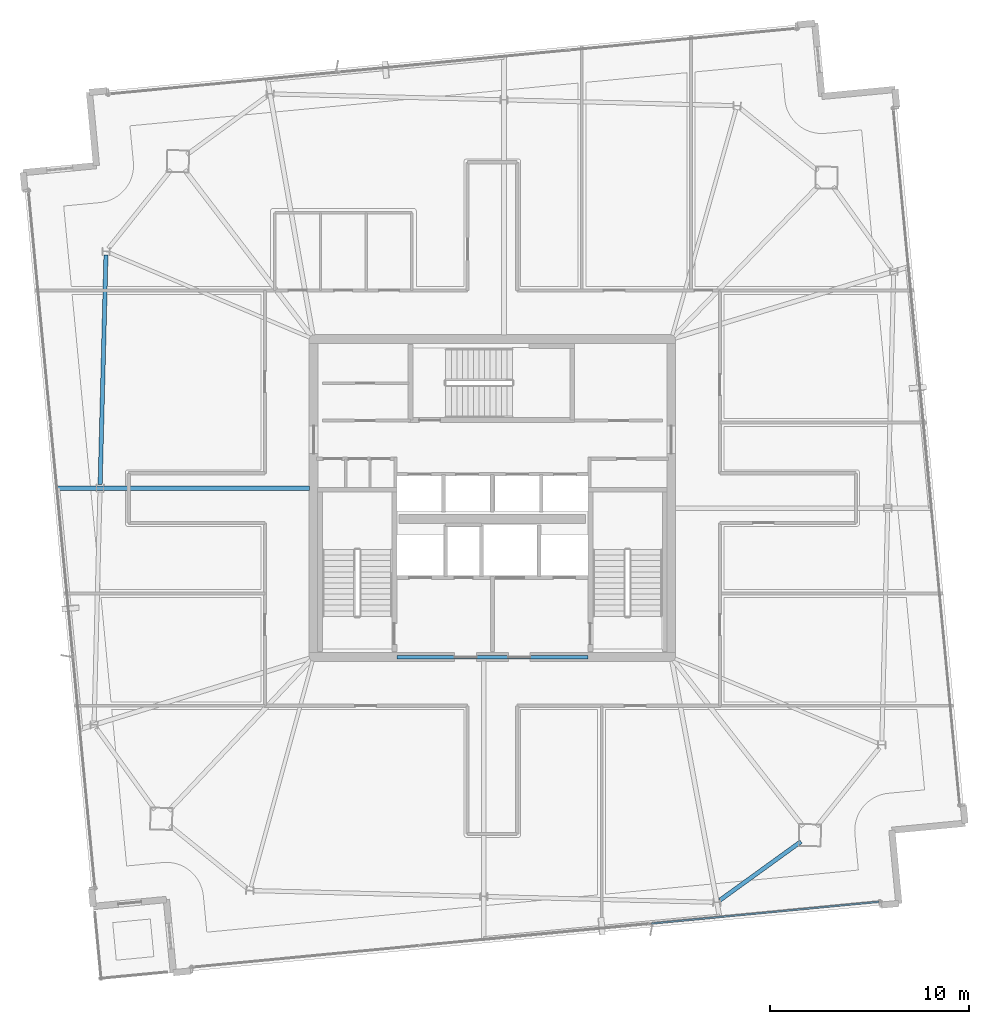
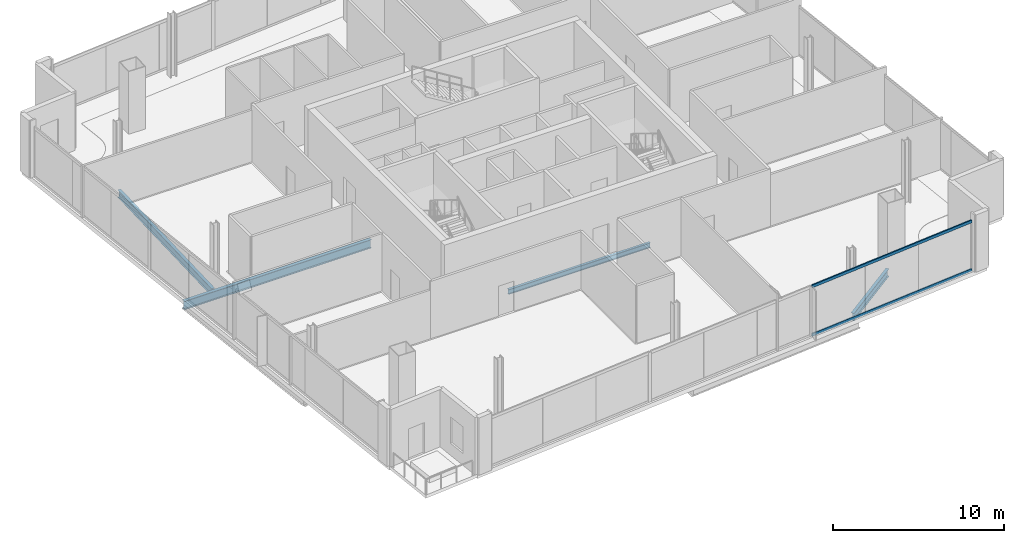
# One storey, part 7 of 24: 4 beams, 2 members, 1 element without a shape of its own.
"""IFC4 building model written with IfcOpenShell, lengths in metres."""

from ifc_helpers import new_model, si_unit, direction, frame, origin, origin_2d, place, context, subcontext, project, spatial, hollow_rectangle, i_section, extrude, material, material_profile, profile_set, type_object, element, aggregate, save


model = new_model("IFC4")

# Units and contexts
model_context = context("Model", 3, precision=1e-05, world=origin(), true_north=direction((0.0, 1.0)))
body_context = subcontext(model_context, "Body", "Model", "MODEL_VIEW")
ifc_project = project(units=[si_unit("LENGTHUNIT", "METRE"), si_unit("AREAUNIT", "SQUARE_METRE"), si_unit("VOLUMEUNIT", "CUBIC_METRE"), si_unit("PLANEANGLEUNIT", "RADIAN"), si_unit("MASSUNIT", "GRAM", prefix="KILO")], contexts=[model_context])

# Site, building, storey
site_placement = place(None, origin())
site = spatial("IfcSite", under=ifc_project, at=site_placement, CompositionType="ELEMENT")
building_placement = place(site_placement, origin())
building = spatial("IfcBuilding", under=site, at=building_placement, Name="Haldenkirk Collegiate Tower", CompositionType="ELEMENT")
storey_placement = place(building_placement, frame((0.0, 0.0, 347.699951171875)))
storey = spatial("IfcBuildingStorey", under=building, at=storey_placement, Name="L88", CompositionType="ELEMENT", Elevation=347.699951171875)

# Beams
ifc_material_1 = material(Name="Steel ASTM A992 Grade 50", Category="steel")
ifc_material_profile_1 = material_profile(ifc_material_1, i_section(OverallWidth=0.22998046875, OverallDepth=0.616943359375, WebThickness=0.01318359375, FlangeThickness=0.022216796875, at=origin_2d()), Name="W24X94")
ifc_profile_set_1 = profile_set([ifc_material_profile_1], Name="Steel ASTM A992 Grade 50")
beam_type_1 = type_object("IfcBeamType", Name="BM-GIRDER-W24X94", PredefinedType="BEAM", material=ifc_profile_set_1)
beam_1_placement = place(storey_placement, frame((14.123779296875, 26.499755859375, -0.62841796875), z_axis=(1.0, 0.0, 0.0), x_axis=(0.0, 1.0, 0.0)))
element("IfcBeam", 1, at=beam_1_placement, inside=storey, type_object=beam_type_1, Name="L88 primary floor girder 12", PredefinedType="BEAM", context=body_context, shape_type="SweptSolid", body=[
    extrude(i_section(OverallWidth=0.22998046875, OverallDepth=0.616943359375, WebThickness=0.01318359375, FlangeThickness=0.022216796875, at=origin_2d()), origin(), (0.0, 0.0, 1.0), 12.671142578125),
])
ifc_material_profile_2 = material_profile(ifc_material_1, i_section(OverallWidth=0.1708984375, OverallDepth=0.35595703125, WebThickness=0.007080078125, FlangeThickness=0.01171875, at=origin_2d()), Name="W14X34")
ifc_profile_set_2 = profile_set([ifc_material_profile_2], Name="Steel ASTM A992 Grade 50")
beam_type_2 = type_object("IfcBeamType", Name="BM-LINTEL-W14X34", PredefinedType="LINTEL", material=ifc_profile_set_2)
beam_2_placement = place(storey_placement, frame((31.199951171875, 18.0, -0.498046875), z_axis=(1.0, 0.0, 0.0), x_axis=(0.0, 1.0, 0.0)))
element("IfcBeam", 2, at=beam_2_placement, inside=storey, type_object=beam_type_2, Name="L88 south core coupling lintel", PredefinedType="LINTEL", context=body_context, shape_type="SweptSolid", body=[
    extrude(i_section(OverallWidth=0.1708984375, OverallDepth=0.35595703125, WebThickness=0.007080078125, FlangeThickness=0.01171875, at=origin_2d()), origin(), (0.0, 0.0, 1.0), 9.60009765625),
])
ifc_material_profile_3 = material_profile(ifc_material_1, i_section(OverallWidth=0.2099609375, OverallDepth=0.537109375, WebThickness=0.010986328125, FlangeThickness=0.017333984375, at=origin_2d()), Name="W21X68")
ifc_profile_set_3 = profile_set([ifc_material_profile_3], Name="Steel ASTM A992 Grade 50")
beam_type_3 = type_object("IfcBeamType", Name="BM-SPANDREL-W21X68", PredefinedType="SPANDREL", material=ifc_profile_set_3)
beam_3_placement = place(storey_placement, frame((16.552978515625, 38.22412109375, -0.58837890625), z_axis=(-0.025302458902, -0.999679841536, 0.0), x_axis=(0.999679841536, -0.025302458902, 0.0)))
element("IfcBeam", 3, at=beam_3_placement, inside=storey, type_object=beam_type_3, Name="L88 perimeter spandrel beam 10", PredefinedType="SPANDREL", context=body_context, shape_type="SweptSolid", body=[
    extrude(i_section(OverallWidth=0.2099609375, OverallDepth=0.537109375, WebThickness=0.010986328125, FlangeThickness=0.017333984375, at=origin_2d()), origin(), (0.0, 0.0, 1.0), 11.5400390625),
])
beam_4_placement = place(storey_placement, frame((47.44921875, 5.767578125, -0.58837890625), z_axis=(0.810388642646, 0.585892693136, 0.0), x_axis=(-0.585892693136, 0.810388642646, 0.0)))
element("IfcBeam", 4, at=beam_4_placement, inside=storey, type_object=beam_type_3, Name="L88 perimeter spandrel beam 16", PredefinedType="SPANDREL", context=body_context, shape_type="SweptSolid", body=[
    extrude(i_section(OverallWidth=0.2099609375, OverallDepth=0.537109375, WebThickness=0.010986328125, FlangeThickness=0.017333984375, at=origin_2d()), origin(), (0.0, 0.0, 1.0), 5.03076171875),
])

# Curtain wall, members
ifc_material_2 = material(Name="Anodised architectural bronze aluminium", Category="aluminium")
curtain_wall_type = type_object("IfcCurtainWallType", Name="CW-SYS1B-CONVEX-HI", PredefinedType="USERDEFINED", material=ifc_material_2)
curtain_wall_placement = place(storey_placement, origin())
curtain_wall = element("IfcCurtainWall", 5, at=curtain_wall_placement, inside=storey, type_object=curtain_wall_type, Name="L88 Upper tower high-wind convex bronze unitised curtain wall", ObjectType="UNITISED CURTAIN WALL", PredefinedType="USERDEFINED")
ifc_material_profile_4 = material_profile(ifc_material_2, hollow_rectangle(XDim=0.0849609375, YDim=0.199951171875, WallThickness=0.0048828125, at=origin_2d()), Name="CW-TRN-1B")
ifc_profile_set_4 = profile_set([ifc_material_profile_4], Name="Anodised architectural bronze aluminium")
member_type = type_object("IfcMemberType", Name="CW-TRN-1B", PredefinedType="USERDEFINED", material=ifc_profile_set_4)
member_1_placement = place(storey_placement, frame((55.457275390625, 5.68603515625, 0.04248046875), z_axis=(-0.995481146046, -0.094959401146, 0.0), x_axis=(0.094959401146, -0.995481146046, 0.0)))
member_1 = element("IfcMember", 6, at=member_1_placement, type_object=member_type, Name="CW-1B transom 1.1", ObjectType="TRANSOM", PredefinedType="USERDEFINED", context=body_context, shape_type="SweptSolid", body=[
    extrude(hollow_rectangle(XDim=0.0849609375, YDim=0.199951171875, WallThickness=0.0048828125, at=origin_2d()), origin(), (0.0, 0.0, 1.0), 11.49755859375),
])
member_2_placement = place(storey_placement, frame((55.457275390625, 5.68603515625, 3.515625), z_axis=(-0.995481146046, -0.094959401146, 0.0), x_axis=(0.094959401146, -0.995481146046, 0.0)))
member_2 = element("IfcMember", 7, at=member_2_placement, type_object=member_type, Name="CW-1B transom 1.2", ObjectType="TRANSOM", PredefinedType="USERDEFINED", context=body_context, shape_type="SweptSolid", body=[
    extrude(hollow_rectangle(XDim=0.0849609375, YDim=0.199951171875, WallThickness=0.0048828125, at=origin_2d()), origin(), (0.0, 0.0, 1.0), 11.49755859375),
])
aggregate(curtain_wall, [member_1, member_2])

save(model, "model.ifc")
